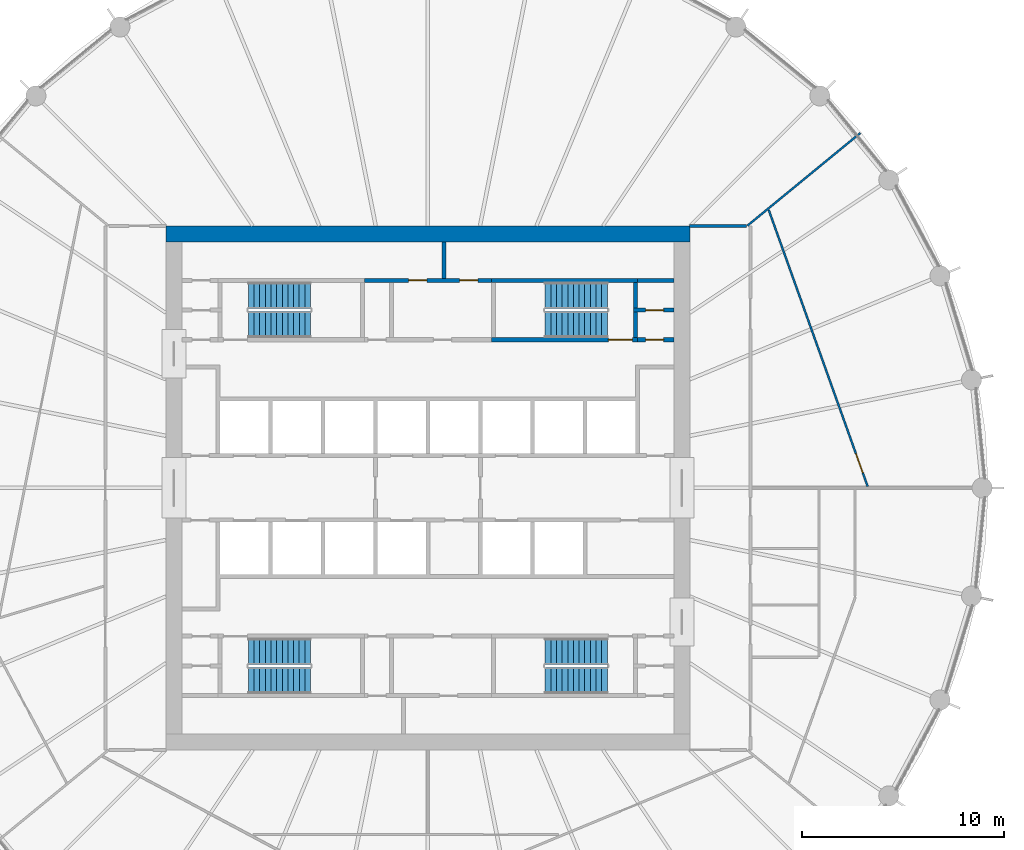
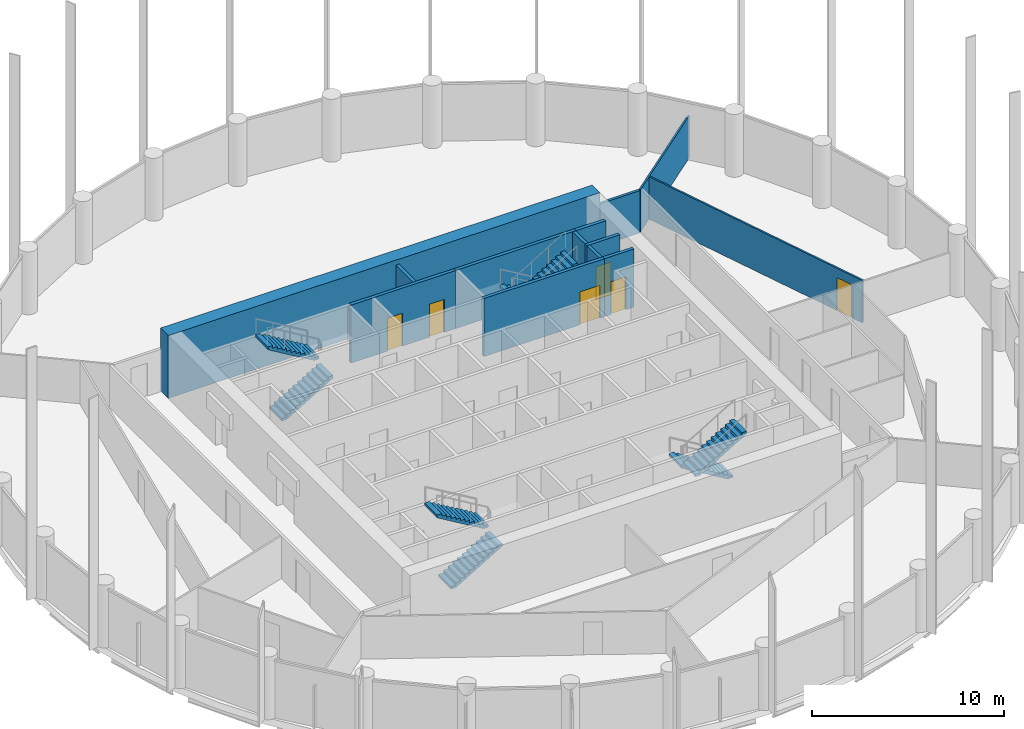
# One storey, part 7 of 8: 13 walls, 8 stair flights, 6 doors, 6 openings, 4 elements without a shape of their own.
"""IFC4 building model written with IfcOpenShell, lengths in metres."""

import ifcopenshell
import ifcopenshell.guid

model = None  # the IFC model being written
_history = None  # IfcOwnerHistory: only IFC2X3 demands one
_inside = {}  # id of a spatial element -> (the spatial element, [elements in it])
_under = {}  # id of a project, library or spatial element -> (it, [spatial elements below it])
_declared = {}  # id of a project -> (the project, [libraries it declares])
_typed = {}  # id of a type object -> (the type object, [elements of that type])
_made_of = {}  # id of a material, layer set ... -> (it, [elements and type objects made of it])


def new_model(schema):
    """Start an empty IFC model of exactly this schema.

    Asked for "IFC4X3", IfcOpenShell would pick the latest addendum, in which some entities
    have other attributes; the version numbers below select the first issue.
    IFC2X3 requires an IfcOwnerHistory on every rooted entity: one is made here for all.
    """
    global model, _history
    if schema == "IFC4X3":
        model = ifcopenshell.file(schema_version=(4, 3, 0, 0))
    else:
        model = ifcopenshell.file(schema=schema)
    _inside.clear()
    _under.clear()
    _declared.clear()
    _typed.clear()
    _made_of.clear()
    _history = None
    if model.schema == "IFC2X3":
        org = make("IfcOrganization", Name="unknown")
        user = make(
            "IfcPersonAndOrganization",
            ThePerson=make("IfcPerson", FamilyName="unknown"),
            TheOrganization=org,
        )
        app = make(
            "IfcApplication",
            ApplicationDeveloper=org,
            Version="unknown",
            ApplicationFullName="unknown",
            ApplicationIdentifier="unknown",
        )
        _history = make(
            "IfcOwnerHistory",
            OwningUser=user,
            OwningApplication=app,
            ChangeAction="ADDED",
            CreationDate=0,
        )
    return model


def make(cls, **values):
    """One entity of the class cls with the attributes given. An attribute that is None is left unset."""
    return model.create_entity(
        cls, **{name: value for name, value in values.items() if value is not None}
    )


def rooted(cls, **values):
    """An entity with a GlobalId (a new one), such as an element, a storey or a relation."""
    return make(cls, GlobalId=ifcopenshell.guid.new(), OwnerHistory=_history, **values)


def si_unit(unit_type, name, prefix=None):
    """IfcSIUnit, for example si_unit("LENGTHUNIT", "METRE", prefix="MILLI")."""
    return make("IfcSIUnit", UnitType=unit_type, Prefix=prefix, Name=name)


def assignment(units):
    """IfcUnitAssignment: the units of a project."""
    return None if units is None else make("IfcUnitAssignment", Units=units)


def point(xyz):
    """IfcCartesianPoint."""
    return None if xyz is None else make("IfcCartesianPoint", Coordinates=xyz)


def direction(xyz):
    """IfcDirection."""
    return None if xyz is None else make("IfcDirection", DirectionRatios=xyz)


def frame(location, z_axis=None, x_axis=None):
    """IfcAxis2Placement3D, a coordinate frame: its origin and axes. An axis left out is left unset."""
    return make(
        "IfcAxis2Placement3D",
        Location=point(location),
        Axis=direction(z_axis),
        RefDirection=direction(x_axis),
    )


def frame_2d(location, x_axis=None):
    """IfcAxis2Placement2D, a coordinate frame in the plane: its origin and x axis."""
    return make(
        "IfcAxis2Placement2D", Location=point(location), RefDirection=direction(x_axis)
    )


def origin():
    """The frame at (0, 0, 0) with its axes left unset."""
    return frame((0.0, 0.0, 0.0))


def place(relative_to, where):
    """IfcLocalPlacement: puts the frame where relative to a parent placement (None: the world)."""
    return make(
        "IfcLocalPlacement", PlacementRelTo=relative_to, RelativePlacement=where
    )


def context(
    kind, dimensions, precision=None, world=None, true_north=None, identifier=None
):
    """IfcGeometricRepresentationContext, for example the 3D "Model" context."""
    return make(
        "IfcGeometricRepresentationContext",
        ContextIdentifier=identifier,
        ContextType=kind,
        CoordinateSpaceDimension=dimensions,
        Precision=precision,
        WorldCoordinateSystem=world,
        TrueNorth=true_north,
    )


def subcontext(parent, identifier, kind, view, scale=None):
    """IfcGeometricRepresentationSubContext, for example "Body" below "Model"."""
    return make(
        "IfcGeometricRepresentationSubContext",
        ContextIdentifier=identifier,
        ContextType=kind,
        ParentContext=parent,
        TargetScale=scale,
        TargetView=view,
    )


def project(units=None, contexts=None):
    """IfcProject with its units and contexts."""
    return rooted(
        "IfcProject",
        Name="project",
        RepresentationContexts=contexts,
        UnitsInContext=assignment(units),
    )


def spatial(cls, under=None, at=None, **own):
    """A site, building, storey or space (cls), placed at a placement, below another one or the project."""
    s = rooted(cls, ObjectPlacement=at, **own)
    if under is not None:
        _under.setdefault(under.id(), (under, []))[1].append(s)
    return s


def polyline(points):
    """IfcPolyline through the points."""
    return make("IfcPolyline", Points=[point(p) for p in points])


def profile(cls, at=None, kind="AREA", **sizes):
    """A parametric profile (cls). Its sizes go by their IFC names, for example OverallWidth=200.0."""
    return make(cls, ProfileType=kind, Position=at, **sizes)


def rectangle(**sizes):
    """IfcRectangleProfileDef."""
    return profile("IfcRectangleProfileDef", **sizes)


def outline(outer, holes=None, kind="AREA"):
    """IfcArbitraryClosedProfileDef: a profile drawn as a closed curve; with holes, ...WithVoids."""
    if holes is None:
        return make("IfcArbitraryClosedProfileDef", ProfileType=kind, OuterCurve=outer)
    return make(
        "IfcArbitraryProfileDefWithVoids",
        ProfileType=kind,
        OuterCurve=outer,
        InnerCurves=holes,
    )


def extrude(swept, where, along, depth):
    """IfcExtrudedAreaSolid: the profile swept, set in the frame where, extruded along a direction by depth."""
    return make(
        "IfcExtrudedAreaSolid",
        SweptArea=swept,
        Position=where,
        ExtrudedDirection=direction(along),
        Depth=depth,
    )


def shape(context_of_items, identifier, shape_type, items):
    """IfcShapeRepresentation: the items that make up one representation, for example the "Body"."""
    return make(
        "IfcShapeRepresentation",
        ContextOfItems=context_of_items,
        RepresentationIdentifier=identifier,
        RepresentationType=shape_type,
        Items=items,
    )


def material(Name=None, Category=None):
    """IfcMaterial."""
    return make("IfcMaterial", Name=Name, Category=Category)


def layer(
    of_material, thickness, ventilated=None, Name=None, Category=None, Priority=None
):
    """IfcMaterialLayer: one layer of a wall or slab, of a material (None: an air gap)."""
    return make(
        "IfcMaterialLayer",
        Material=of_material,
        LayerThickness=thickness,
        IsVentilated=ventilated,
        Name=Name,
        Category=Category,
        Priority=Priority,
    )


def layer_set(layers, Name=None):
    """IfcMaterialLayerSet."""
    return make("IfcMaterialLayerSet", MaterialLayers=layers, LayerSetName=Name)


def made_of(thing, what):
    """Note that an element or type object is made of a material, layer set ...; save() writes the relation."""
    if what is not None:
        _made_of.setdefault(what.id(), (what, []))[1].append(thing)
    return thing


def type_object(cls, material=None, **own):
    """A type object (cls), such as IfcWallType, which elements share."""
    return made_of(rooted(cls, **own), material)


def element(
    cls,
    number,
    at=None,
    inside=None,
    cuts=None,
    type_object=None,
    material=None,
    context=None,
    identifier="Body",
    shape_type=None,
    held_by="IfcProductDefinitionShape",
    body=None,
    shapes=None,
    **own,
):
    """One element of the class cls, such as IfcWall. Its Tag is "e" and its number.

    at: its placement. inside: the storey or other place that contains it. cuts: it is an
    opening in that element (IfcRelVoidsElement). A single representation is given by context,
    identifier, shape_type and body (its items); several are given by shapes. held_by: the class
    of the entity that holds the representations. save() writes the other relations.
    """
    e = rooted(cls, Tag="e%d" % number, ObjectPlacement=at, **own)
    if body is not None:
        shapes = [shape(context, identifier, shape_type, body)]
    if shapes is not None:
        e.Representation = make(held_by, Representations=shapes)
    if inside is not None:
        _inside.setdefault(inside.id(), (inside, []))[1].append(e)
    if cuts is not None:
        rooted(
            "IfcRelVoidsElement", RelatingBuildingElement=cuts, RelatedOpeningElement=e
        )
    if type_object is not None:
        _typed.setdefault(type_object.id(), (type_object, []))[1].append(e)
    return made_of(e, material)


def fill(opening, filler):
    """IfcRelFillsElement: the door or window that sits in an opening."""
    return rooted(
        "IfcRelFillsElement",
        RelatingOpeningElement=opening,
        RelatedBuildingElement=filler,
    )


def aggregate(whole, parts):
    """IfcRelAggregates: a whole, such as a stair, and the parts it consists of."""
    return rooted("IfcRelAggregates", RelatingObject=whole, RelatedObjects=parts)


def save(model, path):
    """Write the relations noted so far, then the file.

    IfcRelAggregates (storeys below a building ...), IfcRelContainedInSpatialStructure (elements
    in a storey), IfcRelDefinesByType, IfcRelAssociatesMaterial and IfcRelDeclares: one each for
    every whole, place, type object, material and project.
    """
    for whole, parts in _under.values():
        aggregate(whole, parts)
    for where, things in _inside.values():
        rooted(
            "IfcRelContainedInSpatialStructure",
            RelatedElements=things,
            RelatingStructure=where,
        )
    for kind, things in _typed.values():
        rooted("IfcRelDefinesByType", RelatedObjects=things, RelatingType=kind)
    for what, things in _made_of.values():
        rooted("IfcRelAssociatesMaterial", RelatedObjects=things, RelatingMaterial=what)
    for by, libraries in _declared.values():
        rooted("IfcRelDeclares", RelatingContext=by, RelatedDefinitions=libraries)
    model.write(path)


model = new_model("IFC4")

# Units and contexts
model_context = context("Model", 3, precision=1e-05, world=origin(), true_north=direction((0.0, 1.0)))
body_context = subcontext(model_context, "Body", "Model", "MODEL_VIEW")
ifc_project = project(units=[si_unit("LENGTHUNIT", "METRE"), si_unit("AREAUNIT", "SQUARE_METRE"), si_unit("VOLUMEUNIT", "CUBIC_METRE"), si_unit("PLANEANGLEUNIT", "RADIAN"), si_unit("MASSUNIT", "GRAM", prefix="KILO")], contexts=[model_context])

# Site, building, storey
site_placement = place(None, origin())
site = spatial("IfcSite", under=ifc_project, at=site_placement, CompositionType="ELEMENT")
building_placement = place(site_placement, origin())
building = spatial("IfcBuilding", under=site, at=building_placement, Name="Corvane Civic Tower", CompositionType="ELEMENT")
storey_placement = place(building_placement, frame((0.0, 0.0, 201.5)))
storey = spatial("IfcBuildingStorey", under=building, at=storey_placement, Name="L47", CompositionType="ELEMENT", Elevation=201.5)

# Wall
ifc_material_1 = material(Name="Concrete C50/60", Category="concrete")
ifc_layer_1 = layer(ifc_material_1, 0.800048828125)
ifc_layer_set_1 = layer_set([ifc_layer_1], Name="Concrete C50/60")
wall_type_1 = type_object("IfcWallType", Name="CORE WALL 800 C50/60", PredefinedType="SHEAR", material=ifc_layer_set_1)
wall_1_placement = place(storey_placement, frame((-13.0, 12.60009765625, 0.0), z_axis=(0.0, 0.0, 1.0), x_axis=(1.0, 0.0, 0.0)))
element("IfcWall", 1, at=wall_1_placement, inside=storey, type_object=wall_type_1, Name="W-L47-core-N", PredefinedType="SHEAR", context=body_context, shape_type="SweptSolid", body=[
    extrude(rectangle(XDim=26.0, YDim=0.800048828125, at=frame_2d((13.0, 0.0))), origin(), (0.0, 0.0, 1.0), 4.0),
])

# Wall, opening, door
ifc_material_2 = material(Name="Concrete C30/37", Category="concrete")
ifc_layer_2 = layer(ifc_material_2, 0.199951171875)
ifc_layer_set_2 = layer_set([ifc_layer_2], Name="Concrete C30/37")
wall_type_2 = type_object("IfcWallType", Name="CR-WALL-200", PredefinedType="PARTITIONING", material=ifc_layer_set_2)
wall_2_placement = place(storey_placement, frame((10.39990234375, 7.35009765625, 0.0), z_axis=(0.0, 0.0, 1.0), x_axis=(1.0, 0.0, 0.0)))
wall_2 = element("IfcWall", 2, at=wall_2_placement, inside=storey, type_object=wall_type_2, Name="L47 core partition wall", PredefinedType="PARTITIONING", context=body_context, shape_type="SweptSolid", body=[
    extrude(rectangle(XDim=1.800048828125, YDim=0.199951171875, at=frame_2d((0.89990234375, 0.0))), origin(), (0.0, 0.0, 1.0), 3.699951171875),
])
opening_1_placement = place(wall_2_placement, frame((0.39990234375, 0.0, 0.0)))
opening_1 = element("IfcOpeningElement", 3, at=opening_1_placement, cuts=wall_2, Name="Opening L47.C19", PredefinedType="OPENING", context=body_context, shape_type="SweptSolid", body=[
    extrude(rectangle(XDim=0.89990234375, YDim=2.10009765625, at=frame_2d((0.449951171875, 1.050048828125))), frame((0.0, 0.10986328125, 0.0), z_axis=(0.0, -1.0, 0.0), x_axis=(1.0, 0.0, 0.0)), (0.0, 0.0, 1.0), 0.219970703125),
])
ifc_material_3 = material(Name="Steel fire door leaf", Category="steel")
door_type_1 = type_object("IfcDoorType", Name="CR-DOOR-900", OperationType="SINGLE_SWING_LEFT", PredefinedType="DOOR", material=ifc_material_3)
door_1_placement = place(opening_1_placement, origin())
door_1 = element("IfcDoor", 4, at=door_1_placement, inside=storey, type_object=door_type_1, Name="L47 door", OperationType="SINGLE_SWING_LEFT", OverallHeight=2.10009765625, OverallWidth=0.89990234375, PredefinedType="DOOR", context=body_context, shape_type="SweptSolid", body=[
    extrude(rectangle(XDim=0.89990234375, YDim=2.10009765625, at=frame_2d((0.449951171875, 1.050048828125))), frame((0.0, 0.02490234375, 0.0), z_axis=(0.0, -1.0, 0.0), x_axis=(1.0, 0.0, 0.0)), (0.0, 0.0, 1.0), 0.050048828125),
])
fill(opening_1, door_1)

wall_3_placement = place(storey_placement, frame((10.199951171875, 8.824951171875, 0.0), z_axis=(0.0, 0.0, 1.0), x_axis=(1.0, 0.0, 0.0)))
wall_3 = element("IfcWall", 5, at=wall_3_placement, inside=storey, type_object=wall_type_2, Name="L47 partition wall", PredefinedType="PARTITIONING", context=body_context, shape_type="SweptSolid", body=[
    extrude(rectangle(XDim=2.0, YDim=0.199951171875, at=frame_2d((1.0, 0.0))), origin(), (0.0, 0.0, 1.0), 3.699951171875),
])
opening_2_placement = place(wall_3_placement, frame((0.60009765625, 0.0, 0.0)))
opening_2 = element("IfcOpeningElement", 6, at=opening_2_placement, cuts=wall_3, Name="Opening L47.C20", PredefinedType="OPENING", context=body_context, shape_type="SweptSolid", body=[
    extrude(rectangle(XDim=0.89990234375, YDim=2.10009765625, at=frame_2d((0.449951171875, 1.050048828125))), frame((0.0, 0.10986328125, 0.0), z_axis=(0.0, -1.0, 0.0), x_axis=(1.0, 0.0, 0.0)), (0.0, 0.0, 1.0), 0.219970703125),
])
door_2_placement = place(opening_2_placement, origin())
door_2 = element("IfcDoor", 7, at=door_2_placement, inside=storey, type_object=door_type_1, Name="L47 door", OperationType="SINGLE_SWING_LEFT", OverallHeight=2.10009765625, OverallWidth=0.89990234375, PredefinedType="DOOR", context=body_context, shape_type="SweptSolid", body=[
    extrude(rectangle(XDim=0.89990234375, YDim=2.10009765625, at=frame_2d((0.449951171875, 1.050048828125))), frame((0.0, 0.02490234375, 0.0), z_axis=(0.0, -1.0, 0.0), x_axis=(1.0, 0.0, 0.0)), (0.0, 0.0, 1.0), 0.050048828125),
])
fill(opening_2, door_2)

# Wall, openings, doors
wall_4_placement = place(storey_placement, frame((-3.14990234375, 10.300048828125, 0.0), z_axis=(0.0, 0.0, 1.0), x_axis=(1.0, 0.0, 0.0)))
wall_4 = element("IfcWall", 8, at=wall_4_placement, inside=storey, type_object=wall_type_2, Name="L47 partition wall", PredefinedType="PARTITIONING", context=body_context, shape_type="SweptSolid", body=[
    extrude(rectangle(XDim=6.2998046875, YDim=0.199951171875, at=frame_2d((3.14990234375, 0.0))), origin(), (0.0, 0.0, 1.0), 3.699951171875),
])
opening_3_placement = place(wall_4_placement, frame((2.199951171875, 0.0, 0.0)))
opening_3 = element("IfcOpeningElement", 9, at=opening_3_placement, cuts=wall_4, Name="Opening L47.C10", PredefinedType="OPENING", context=body_context, shape_type="SweptSolid", body=[
    extrude(rectangle(XDim=0.89990234375, YDim=2.10009765625, at=frame_2d((0.449951171875, 1.050048828125))), frame((0.0, 0.10986328125, 0.0), z_axis=(0.0, -1.0, 0.0), x_axis=(1.0, 0.0, 0.0)), (0.0, 0.0, 1.0), 0.219970703125),
])
opening_4_placement = place(wall_4_placement, frame((4.72509765625, 0.0, 0.0)))
opening_4 = element("IfcOpeningElement", 10, at=opening_4_placement, cuts=wall_4, Name="Opening L47.C11", PredefinedType="OPENING", context=body_context, shape_type="SweptSolid", body=[
    extrude(rectangle(XDim=0.89990234375, YDim=2.10009765625, at=frame_2d((0.449951171875, 1.050048828125))), frame((0.0, 0.10986328125, 0.0), z_axis=(0.0, -1.0, 0.0), x_axis=(1.0, 0.0, 0.0)), (0.0, 0.0, 1.0), 0.219970703125),
])
door_3_placement = place(opening_3_placement, origin())
door_3 = element("IfcDoor", 11, at=door_3_placement, inside=storey, type_object=door_type_1, Name="L47 door", OperationType="SINGLE_SWING_LEFT", OverallHeight=2.10009765625, OverallWidth=0.89990234375, PredefinedType="DOOR", context=body_context, shape_type="SweptSolid", body=[
    extrude(rectangle(XDim=0.89990234375, YDim=2.10009765625, at=frame_2d((0.449951171875, 1.050048828125))), frame((0.0, 0.02490234375, 0.0), z_axis=(0.0, -1.0, 0.0), x_axis=(1.0, 0.0, 0.0)), (0.0, 0.0, 1.0), 0.050048828125),
])
fill(opening_3, door_3)
door_4_placement = place(opening_4_placement, origin())
door_4 = element("IfcDoor", 12, at=door_4_placement, inside=storey, type_object=door_type_1, Name="L47 door", OperationType="SINGLE_SWING_LEFT", OverallHeight=2.10009765625, OverallWidth=0.89990234375, PredefinedType="DOOR", context=body_context, shape_type="SweptSolid", body=[
    extrude(rectangle(XDim=0.89990234375, YDim=2.10009765625, at=frame_2d((0.449951171875, 1.050048828125))), frame((0.0, 0.02490234375, 0.0), z_axis=(0.0, -1.0, 0.0), x_axis=(1.0, 0.0, 0.0)), (0.0, 0.0, 1.0), 0.050048828125),
])
fill(opening_4, door_4)

# Walls
wall_5_placement = place(storey_placement, origin())
element("IfcWall", 13, at=wall_5_placement, inside=storey, type_object=wall_type_2, Name="L47 core partition wall", PredefinedType="PARTITIONING", context=body_context, shape_type="SweptSolid", body=[
    extrude(outline(polyline([(0.89990234375, 10.39990234375), (0.699951171875, 10.39990234375), (0.699951171875, 12.199951171875), (0.89990234375, 12.199951171875), (0.89990234375, 10.39990234375)])), origin(), (0.0, 0.0, 1.0), 3.699951171875),
])
wall_6_placement = place(storey_placement, origin())
element("IfcWall", 14, at=wall_6_placement, inside=storey, type_object=wall_type_2, Name="L47 core partition wall", PredefinedType="PARTITIONING", context=body_context, shape_type="SweptSolid", body=[
    extrude(outline(polyline([(10.39990234375, 10.199951171875), (10.39990234375, 10.39990234375), (12.199951171875, 10.39990234375), (12.199951171875, 10.199951171875), (10.39990234375, 10.199951171875)])), origin(), (0.0, 0.0, 1.0), 3.699951171875),
])

# Wall, opening, door
ifc_material_4 = material(Name="Plasterboard")
ifc_layer_3 = layer(ifc_material_4, 0.10009765625)
ifc_layer_set_3 = layer_set([ifc_layer_3], Name="Plasterboard")
wall_type_3 = type_object("IfcWallType", Name="Partition 100 plasterboard on studs", PredefinedType="PARTITIONING", material=ifc_layer_set_3)
wall_7_placement = place(storey_placement, frame((16.90869140625, 13.790283203125, 0.0), z_axis=(0.0, 0.0, 1.0), x_axis=(0.336895534634, -0.941542032383, 0.0)))
wall_7 = element("IfcWall", 15, at=wall_7_placement, inside=storey, type_object=wall_type_3, Name="Partition L47.022", PredefinedType="PARTITIONING", context=body_context, shape_type="SweptSolid", body=[
    extrude(rectangle(XDim=14.575439453125, YDim=0.10009765625, at=frame_2d((7.28759765625, 0.0))), origin(), (0.0, 0.0, 1.0), 2.699951171875),
])
opening_5_placement = place(wall_7_placement, frame((12.847900390625, 0.0, 0.0)))
opening_5 = element("IfcOpeningElement", 16, at=opening_5_placement, cuts=wall_7, Name="Opening L47.007", PredefinedType="OPENING", context=body_context, shape_type="SweptSolid", body=[
    extrude(rectangle(XDim=1.0, YDim=2.10009765625, at=frame_2d((0.5, 1.050048828125))), frame((0.0, 0.06005859375, 0.0), z_axis=(0.0, -1.0, 0.0), x_axis=(1.0, 0.0, 0.0)), (0.0, 0.0, 1.0), 0.1201171875),
])
ifc_material_5 = material(Name="Timber", Category="wood")
door_type_2 = type_object("IfcDoorType", Name="Single door 1000", OperationType="NOTDEFINED", PredefinedType="DOOR", material=ifc_material_5)
door_5_placement = place(opening_5_placement, origin())
door_5 = element("IfcDoor", 17, at=door_5_placement, inside=storey, type_object=door_type_2, Name="Door L47.007", OperationType="SINGLE_SWING_RIGHT", OverallHeight=2.10009765625, OverallWidth=1.0, PredefinedType="DOOR", context=body_context, shape_type="SweptSolid", body=[
    extrude(rectangle(XDim=1.0, YDim=2.10009765625, at=frame_2d((0.5, 1.050048828125))), frame((0.0, 0.02490234375, 0.0), z_axis=(0.0, -1.0, 0.0), x_axis=(1.0, 0.0, 0.0)), (0.0, 0.0, 1.0), 0.050048828125),
])
fill(opening_5, door_5)

# Wall
wall_8_placement = place(storey_placement, frame((15.8544921875, 13.01123046875, 0.0), z_axis=(0.0, 0.0, 1.0), x_axis=(0.772997895748, 0.634408585352, 0.0)))
element("IfcWall", 18, at=wall_8_placement, inside=storey, type_object=wall_type_3, Name="Partition L47.026", PredefinedType="PARTITIONING", context=body_context, shape_type="SweptSolid", body=[
    extrude(rectangle(XDim=7.240234375, YDim=0.10009765625, at=frame_2d((3.6201171875, 0.0))), origin(), (0.0, 0.0, 1.0), 2.699951171875),
])

# Wall, opening, door
ifc_material_6 = material(Name="Concrete C50/60", Category="concrete")
ifc_layer_4 = layer(ifc_material_6, 0.199951171875)
ifc_layer_set_4 = layer_set([ifc_layer_4], Name="Concrete C50/60")
wall_type_4 = type_object("IfcWallType", Name="ST-WALL-200", PredefinedType="SHEAR", material=ifc_layer_set_4)
wall_9_placement = place(storey_placement, frame((3.14990234375, 7.35009765625, 0.0), z_axis=(0.0, 0.0, 1.0), x_axis=(1.0, 0.0, 0.0)))
wall_9 = element("IfcWall", 19, at=wall_9_placement, inside=storey, type_object=wall_type_4, Name="L47 stair enclosure wall", PredefinedType="SHEAR", context=body_context, shape_type="SweptSolid", body=[
    extrude(rectangle(XDim=7.25, YDim=0.199951171875, at=frame_2d((3.625, 0.0))), origin(), (0.0, 0.0, 1.0), 3.699951171875),
])
opening_6_placement = place(wall_9_placement, frame((5.800048828125, 0.0, 0.0)))
opening_6 = element("IfcOpeningElement", 20, at=opening_6_placement, cuts=wall_9, Name="Opening L47.C24", PredefinedType="OPENING", context=body_context, shape_type="SweptSolid", body=[
    extrude(rectangle(XDim=1.199951171875, YDim=2.10009765625, at=frame_2d((0.60009765625, 1.050048828125))), frame((0.0, 0.10986328125, 0.0), z_axis=(0.0, -1.0, 0.0), x_axis=(1.0, 0.0, 0.0)), (0.0, 0.0, 1.0), 0.219970703125),
])
ifc_material_7 = material(Name="Steel fire door leaf", Category="steel")
door_type_3 = type_object("IfcDoorType", Name="ST-DOOR-1200", OperationType="SINGLE_SWING_RIGHT", PredefinedType="DOOR", material=ifc_material_7)
door_6_placement = place(opening_6_placement, origin())
door_6 = element("IfcDoor", 21, at=door_6_placement, inside=storey, type_object=door_type_3, Name="L47 stair door", OperationType="SINGLE_SWING_RIGHT", OverallHeight=2.10009765625, OverallWidth=1.199951171875, PredefinedType="DOOR", context=body_context, shape_type="SweptSolid", body=[
    extrude(rectangle(XDim=1.199951171875, YDim=2.10009765625, at=frame_2d((0.60009765625, 1.050048828125))), frame((0.0, 0.02490234375, 0.0), z_axis=(0.0, -1.0, 0.0), x_axis=(1.0, 0.0, 0.0)), (0.0, 0.0, 1.0), 0.050048828125),
])
fill(opening_6, door_6)

# Walls
wall_10_placement = place(storey_placement, origin())
element("IfcWall", 22, at=wall_10_placement, inside=storey, type_object=wall_type_4, Name="L47 stair enclosure wall", PredefinedType="SHEAR", context=body_context, shape_type="SweptSolid", body=[
    extrude(outline(polyline([(10.39990234375, 10.199951171875), (3.14990234375, 10.199951171875), (3.14990234375, 10.39990234375), (10.39990234375, 10.39990234375), (10.39990234375, 10.199951171875)])), origin(), (0.0, 0.0, 1.0), 3.699951171875),
])
wall_11_placement = place(storey_placement, origin())
element("IfcWall", 23, at=wall_11_placement, inside=storey, type_object=wall_type_4, Name="L47 stair enclosure wall", PredefinedType="SHEAR", context=body_context, shape_type="SweptSolid", body=[
    extrude(outline(polyline([(10.39990234375, 8.72509765625), (10.39990234375, 7.449951171875), (10.199951171875, 7.449951171875), (10.199951171875, 8.72509765625), (10.39990234375, 8.72509765625)])), origin(), (0.0, 0.0, 1.0), 3.699951171875),
])
wall_12_placement = place(storey_placement, origin())
element("IfcWall", 24, at=wall_12_placement, inside=storey, type_object=wall_type_4, Name="L47 stair enclosure wall", PredefinedType="SHEAR", context=body_context, shape_type="SweptSolid", body=[
    extrude(outline(polyline([(10.39990234375, 8.925048828125), (10.199951171875, 8.925048828125), (10.199951171875, 10.199951171875), (10.39990234375, 10.199951171875), (10.39990234375, 8.925048828125)])), origin(), (0.0, 0.0, 1.0), 3.699951171875),
])
ifc_material_8 = material(Name="Plasterboard")
ifc_layer_5 = layer(ifc_material_8, 0.14990234375)
ifc_layer_set_5 = layer_set([ifc_layer_5], Name="Plasterboard")
wall_type_5 = type_object("IfcWallType", Name="Tenancy wall 150 EI 60", PredefinedType="PARTITIONING", material=ifc_layer_set_5)
wall_13_placement = place(storey_placement, frame((12.989990234375, 13.0, 0.0), z_axis=(0.0, 0.0, 1.0), x_axis=(1.0, 0.0, 0.0)))
element("IfcWall", 25, at=wall_13_placement, inside=storey, type_object=wall_type_5, Name="Partition L47.024", PredefinedType="PARTITIONING", context=body_context, shape_type="SweptSolid", body=[
    extrude(rectangle(XDim=2.82373046875, YDim=0.14990234375, at=frame_2d((1.411865234375, 0.0))), origin(), (0.0, 0.0, 1.0), 2.699951171875),
])

# Stair, stair flights
ifc_material_9 = material(Name="Concrete C40/50", Category="concrete")
stair_type = type_object("IfcStairType", Name="ST-STAIR-HALFTURN", PredefinedType="HALF_TURN_STAIR", material=ifc_material_9)
stair_1_placement = place(storey_placement, origin())
stair_1 = element("IfcStair", 26, at=stair_1_placement, inside=storey, type_object=stair_type, Name="L47 Exit stair ST1", PredefinedType="HALF_TURN_STAIR")
ifc_material_10 = material(Name="Concrete C40/50", Category="concrete")
stair_flight_type = type_object("IfcStairFlightType", Name="ST-FLIGHT-RC", PredefinedType="STRAIGHT", material=ifc_material_10)
stair_flight_1_placement = place(storey_placement, frame((8.89990234375, 9.550048828125, 0.0), z_axis=(0.0, 0.0, 1.0), x_axis=(-1.0, 0.0, 0.0)))
stair_flight_1 = element("IfcStairFlight", 27, at=stair_flight_1_placement, type_object=stair_flight_type, Name="ST1 flight 1", NumberOfRisers=12, NumberOfTreads=11, PredefinedType="STRAIGHT", RiserHeight=0.166666667, TreadLength=0.28, context=body_context, shape_type="SweptSolid", body=[
    extrude(outline(polyline([(0.0, 0.0), (0.0, 0.166748046875), (0.280029296875, 0.166748046875), (0.280029296875, 0.333251953125), (0.56005859375, 0.333251953125), (0.56005859375, 0.5), (0.840087890625, 0.5), (0.840087890625, 0.666748046875), (1.1201171875, 0.666748046875), (1.1201171875, 0.833251953125), (1.39990234375, 0.833251953125), (1.39990234375, 1.0), (1.679931640625, 1.0), (1.679931640625, 1.166748046875), (1.9599609375, 1.166748046875), (1.9599609375, 1.333251953125), (2.239990234375, 1.333251953125), (2.239990234375, 1.5), (2.52001953125, 1.5), (2.52001953125, 1.666748046875), (2.800048828125, 1.666748046875), (2.800048828125, 1.833251953125), (3.080078125, 1.833251953125), (3.080078125, 2.0), (3.080078125, 1.658935546875), (0.29296875, 0.0), (0.0, 0.0)])), frame((0.0, 0.64990234375, 0.0), z_axis=(0.0, -1.0, 0.0), x_axis=(1.0, 0.0, 0.0)), (0.0, 0.0, 1.0), 1.300048828125),
])
stair_flight_2_placement = place(storey_placement, frame((5.820068359375, 8.10009765625, 2.0), z_axis=(0.0, 0.0, 1.0), x_axis=(1.0, 0.0, 0.0)))
stair_flight_2 = element("IfcStairFlight", 28, at=stair_flight_2_placement, type_object=stair_flight_type, Name="ST1 flight 2", NumberOfRisers=12, NumberOfTreads=11, PredefinedType="STRAIGHT", RiserHeight=0.166666667, TreadLength=0.28, context=body_context, shape_type="SweptSolid", body=[
    extrude(outline(polyline([(0.0, 0.0), (0.0, 0.166748046875), (0.280029296875, 0.166748046875), (0.280029296875, 0.333251953125), (0.56005859375, 0.333251953125), (0.56005859375, 0.5), (0.840087890625, 0.5), (0.840087890625, 0.666748046875), (1.1201171875, 0.666748046875), (1.1201171875, 0.833251953125), (1.39990234375, 0.833251953125), (1.39990234375, 1.0), (1.679931640625, 1.0), (1.679931640625, 1.166748046875), (1.9599609375, 1.166748046875), (1.9599609375, 1.333251953125), (2.239990234375, 1.333251953125), (2.239990234375, 1.5), (2.52001953125, 1.5), (2.52001953125, 1.666748046875), (2.800048828125, 1.666748046875), (2.800048828125, 1.833251953125), (3.080078125, 1.833251953125), (3.080078125, 2.0), (3.080078125, 1.658935546875), (0.29296875, 0.0), (0.0, 0.0)])), frame((0.0, 0.64990234375, 0.0), z_axis=(0.0, -1.0, 0.0), x_axis=(1.0, 0.0, 0.0)), (0.0, 0.0, 1.0), 1.300048828125),
])
aggregate(stair_1, [stair_flight_1, stair_flight_2])

stair_2_placement = place(storey_placement, origin())
stair_2 = element("IfcStair", 29, at=stair_2_placement, inside=storey, type_object=stair_type, Name="L47 Exit stair ST2", PredefinedType="HALF_TURN_STAIR")
stair_flight_3_placement = place(storey_placement, frame((8.89990234375, -8.10009765625, 0.0), z_axis=(0.0, 0.0, 1.0), x_axis=(-1.0, 0.0, 0.0)))
stair_flight_3 = element("IfcStairFlight", 30, at=stair_flight_3_placement, type_object=stair_flight_type, Name="ST2 flight 1", NumberOfRisers=12, NumberOfTreads=11, PredefinedType="STRAIGHT", RiserHeight=0.166666667, TreadLength=0.28, context=body_context, shape_type="SweptSolid", body=[
    extrude(outline(polyline([(0.0, 0.0), (0.0, 0.166748046875), (0.280029296875, 0.166748046875), (0.280029296875, 0.333251953125), (0.56005859375, 0.333251953125), (0.56005859375, 0.5), (0.840087890625, 0.5), (0.840087890625, 0.666748046875), (1.1201171875, 0.666748046875), (1.1201171875, 0.833251953125), (1.39990234375, 0.833251953125), (1.39990234375, 1.0), (1.679931640625, 1.0), (1.679931640625, 1.166748046875), (1.9599609375, 1.166748046875), (1.9599609375, 1.333251953125), (2.239990234375, 1.333251953125), (2.239990234375, 1.5), (2.52001953125, 1.5), (2.52001953125, 1.666748046875), (2.800048828125, 1.666748046875), (2.800048828125, 1.833251953125), (3.080078125, 1.833251953125), (3.080078125, 2.0), (3.080078125, 1.658935546875), (0.29296875, 0.0), (0.0, 0.0)])), frame((0.0, 0.64990234375, 0.0), z_axis=(0.0, -1.0, 0.0), x_axis=(1.0, 0.0, 0.0)), (0.0, 0.0, 1.0), 1.300048828125),
])
stair_flight_4_placement = place(storey_placement, frame((5.820068359375, -9.550048828125, 2.0), z_axis=(0.0, 0.0, 1.0), x_axis=(1.0, 0.0, 0.0)))
stair_flight_4 = element("IfcStairFlight", 31, at=stair_flight_4_placement, type_object=stair_flight_type, Name="ST2 flight 2", NumberOfRisers=12, NumberOfTreads=11, PredefinedType="STRAIGHT", RiserHeight=0.166666667, TreadLength=0.28, context=body_context, shape_type="SweptSolid", body=[
    extrude(outline(polyline([(0.0, 0.0), (0.0, 0.166748046875), (0.280029296875, 0.166748046875), (0.280029296875, 0.333251953125), (0.56005859375, 0.333251953125), (0.56005859375, 0.5), (0.840087890625, 0.5), (0.840087890625, 0.666748046875), (1.1201171875, 0.666748046875), (1.1201171875, 0.833251953125), (1.39990234375, 0.833251953125), (1.39990234375, 1.0), (1.679931640625, 1.0), (1.679931640625, 1.166748046875), (1.9599609375, 1.166748046875), (1.9599609375, 1.333251953125), (2.239990234375, 1.333251953125), (2.239990234375, 1.5), (2.52001953125, 1.5), (2.52001953125, 1.666748046875), (2.800048828125, 1.666748046875), (2.800048828125, 1.833251953125), (3.080078125, 1.833251953125), (3.080078125, 2.0), (3.080078125, 1.658935546875), (0.29296875, 0.0), (0.0, 0.0)])), frame((0.0, 0.64990234375, 0.0), z_axis=(0.0, -1.0, 0.0), x_axis=(1.0, 0.0, 0.0)), (0.0, 0.0, 1.0), 1.300048828125),
])
aggregate(stair_2, [stair_flight_3, stair_flight_4])

stair_3_placement = place(storey_placement, origin())
stair_3 = element("IfcStair", 32, at=stair_3_placement, inside=storey, type_object=stair_type, Name="L47 Exit stair ST3", PredefinedType="HALF_TURN_STAIR")
stair_flight_5_placement = place(storey_placement, frame((-8.89990234375, -9.550048828125, 0.0), z_axis=(0.0, 0.0, 1.0), x_axis=(1.0, 0.0, 0.0)))
stair_flight_5 = element("IfcStairFlight", 33, at=stair_flight_5_placement, type_object=stair_flight_type, Name="ST3 flight 1", NumberOfRisers=12, NumberOfTreads=11, PredefinedType="STRAIGHT", RiserHeight=0.166666667, TreadLength=0.28, context=body_context, shape_type="SweptSolid", body=[
    extrude(outline(polyline([(0.0, 0.0), (0.0, 0.166748046875), (0.280029296875, 0.166748046875), (0.280029296875, 0.333251953125), (0.56005859375, 0.333251953125), (0.56005859375, 0.5), (0.840087890625, 0.5), (0.840087890625, 0.666748046875), (1.1201171875, 0.666748046875), (1.1201171875, 0.833251953125), (1.39990234375, 0.833251953125), (1.39990234375, 1.0), (1.679931640625, 1.0), (1.679931640625, 1.166748046875), (1.9599609375, 1.166748046875), (1.9599609375, 1.333251953125), (2.239990234375, 1.333251953125), (2.239990234375, 1.5), (2.52001953125, 1.5), (2.52001953125, 1.666748046875), (2.800048828125, 1.666748046875), (2.800048828125, 1.833251953125), (3.080078125, 1.833251953125), (3.080078125, 2.0), (3.080078125, 1.658935546875), (0.29296875, 0.0), (0.0, 0.0)])), frame((0.0, 0.64990234375, 0.0), z_axis=(0.0, -1.0, 0.0), x_axis=(1.0, 0.0, 0.0)), (0.0, 0.0, 1.0), 1.300048828125),
])
stair_flight_6_placement = place(storey_placement, frame((-5.820068359375, -8.10009765625, 2.0), z_axis=(0.0, 0.0, 1.0), x_axis=(-1.0, 0.0, 0.0)))
stair_flight_6 = element("IfcStairFlight", 34, at=stair_flight_6_placement, type_object=stair_flight_type, Name="ST3 flight 2", NumberOfRisers=12, NumberOfTreads=11, PredefinedType="STRAIGHT", RiserHeight=0.166666667, TreadLength=0.28, context=body_context, shape_type="SweptSolid", body=[
    extrude(outline(polyline([(0.0, 0.0), (0.0, 0.166748046875), (0.280029296875, 0.166748046875), (0.280029296875, 0.333251953125), (0.56005859375, 0.333251953125), (0.56005859375, 0.5), (0.840087890625, 0.5), (0.840087890625, 0.666748046875), (1.1201171875, 0.666748046875), (1.1201171875, 0.833251953125), (1.39990234375, 0.833251953125), (1.39990234375, 1.0), (1.679931640625, 1.0), (1.679931640625, 1.166748046875), (1.9599609375, 1.166748046875), (1.9599609375, 1.333251953125), (2.239990234375, 1.333251953125), (2.239990234375, 1.5), (2.52001953125, 1.5), (2.52001953125, 1.666748046875), (2.800048828125, 1.666748046875), (2.800048828125, 1.833251953125), (3.080078125, 1.833251953125), (3.080078125, 2.0), (3.080078125, 1.658935546875), (0.29296875, 0.0), (0.0, 0.0)])), frame((0.0, 0.64990234375, 0.0), z_axis=(0.0, -1.0, 0.0), x_axis=(1.0, 0.0, 0.0)), (0.0, 0.0, 1.0), 1.300048828125),
])
aggregate(stair_3, [stair_flight_5, stair_flight_6])

stair_4_placement = place(storey_placement, origin())
stair_4 = element("IfcStair", 35, at=stair_4_placement, inside=storey, type_object=stair_type, Name="L47 Exit stair ST4", PredefinedType="HALF_TURN_STAIR")
stair_flight_7_placement = place(storey_placement, frame((-8.89990234375, 8.10009765625, 0.0), z_axis=(0.0, 0.0, 1.0), x_axis=(1.0, 0.0, 0.0)))
stair_flight_7 = element("IfcStairFlight", 36, at=stair_flight_7_placement, type_object=stair_flight_type, Name="ST4 flight 1", NumberOfRisers=12, NumberOfTreads=11, PredefinedType="STRAIGHT", RiserHeight=0.166666667, TreadLength=0.28, context=body_context, shape_type="SweptSolid", body=[
    extrude(outline(polyline([(0.0, 0.0), (0.0, 0.166748046875), (0.280029296875, 0.166748046875), (0.280029296875, 0.333251953125), (0.56005859375, 0.333251953125), (0.56005859375, 0.5), (0.840087890625, 0.5), (0.840087890625, 0.666748046875), (1.1201171875, 0.666748046875), (1.1201171875, 0.833251953125), (1.39990234375, 0.833251953125), (1.39990234375, 1.0), (1.679931640625, 1.0), (1.679931640625, 1.166748046875), (1.9599609375, 1.166748046875), (1.9599609375, 1.333251953125), (2.239990234375, 1.333251953125), (2.239990234375, 1.5), (2.52001953125, 1.5), (2.52001953125, 1.666748046875), (2.800048828125, 1.666748046875), (2.800048828125, 1.833251953125), (3.080078125, 1.833251953125), (3.080078125, 2.0), (3.080078125, 1.658935546875), (0.29296875, 0.0), (0.0, 0.0)])), frame((0.0, 0.64990234375, 0.0), z_axis=(0.0, -1.0, 0.0), x_axis=(1.0, 0.0, 0.0)), (0.0, 0.0, 1.0), 1.300048828125),
])
stair_flight_8_placement = place(storey_placement, frame((-5.820068359375, 9.550048828125, 2.0), z_axis=(0.0, 0.0, 1.0), x_axis=(-1.0, 0.0, 0.0)))
stair_flight_8 = element("IfcStairFlight", 37, at=stair_flight_8_placement, type_object=stair_flight_type, Name="ST4 flight 2", NumberOfRisers=12, NumberOfTreads=11, PredefinedType="STRAIGHT", RiserHeight=0.166666667, TreadLength=0.28, context=body_context, shape_type="SweptSolid", body=[
    extrude(outline(polyline([(0.0, 0.0), (0.0, 0.166748046875), (0.280029296875, 0.166748046875), (0.280029296875, 0.333251953125), (0.56005859375, 0.333251953125), (0.56005859375, 0.5), (0.840087890625, 0.5), (0.840087890625, 0.666748046875), (1.1201171875, 0.666748046875), (1.1201171875, 0.833251953125), (1.39990234375, 0.833251953125), (1.39990234375, 1.0), (1.679931640625, 1.0), (1.679931640625, 1.166748046875), (1.9599609375, 1.166748046875), (1.9599609375, 1.333251953125), (2.239990234375, 1.333251953125), (2.239990234375, 1.5), (2.52001953125, 1.5), (2.52001953125, 1.666748046875), (2.800048828125, 1.666748046875), (2.800048828125, 1.833251953125), (3.080078125, 1.833251953125), (3.080078125, 2.0), (3.080078125, 1.658935546875), (0.29296875, 0.0), (0.0, 0.0)])), frame((0.0, 0.64990234375, 0.0), z_axis=(0.0, -1.0, 0.0), x_axis=(1.0, 0.0, 0.0)), (0.0, 0.0, 1.0), 1.300048828125),
])
aggregate(stair_4, [stair_flight_7, stair_flight_8])

save(model, "model.ifc")
